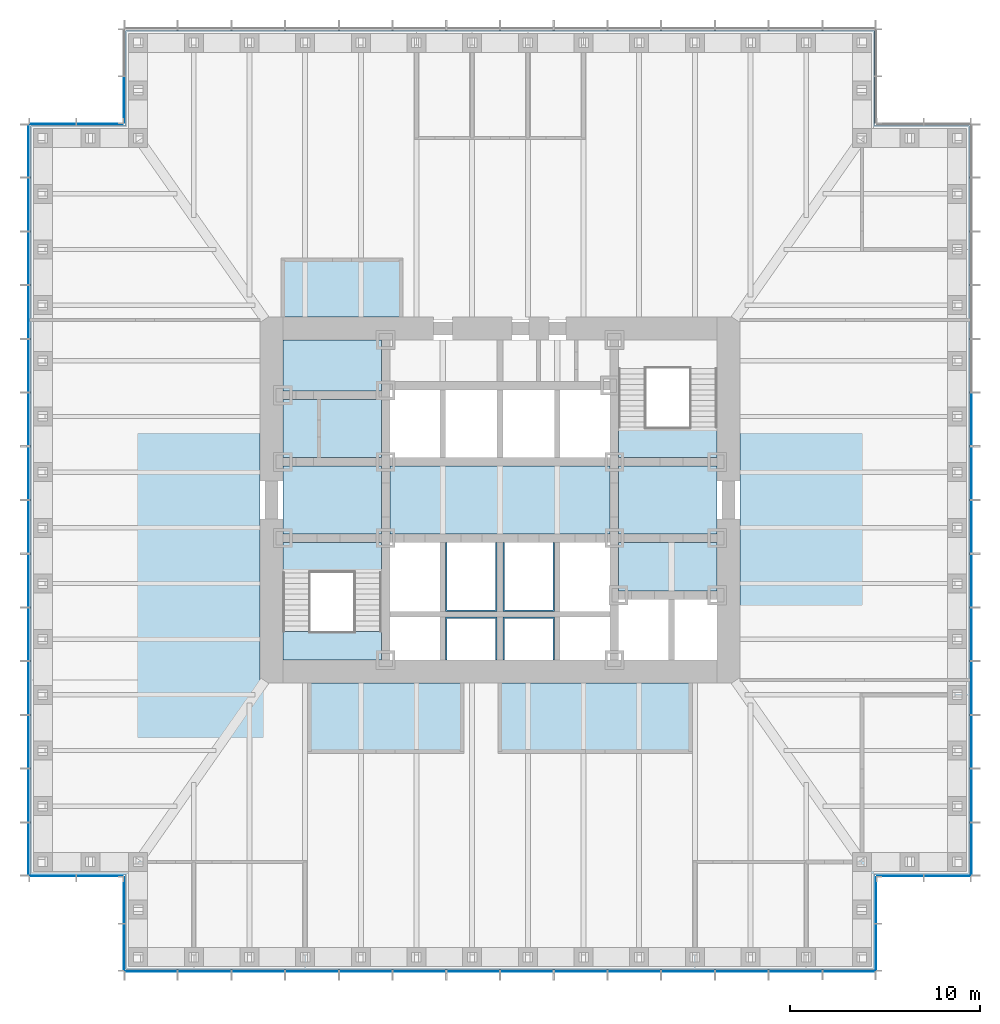
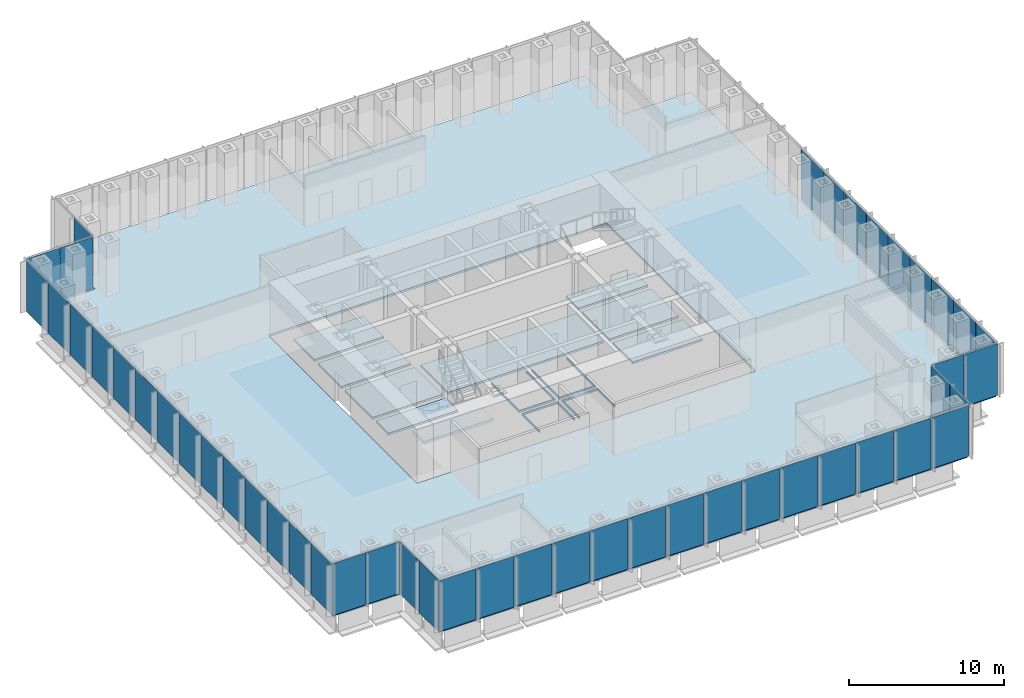
# One storey, part 7 of 16: 48 plates, 14 slabs, 10 elements without a shape of their own.
"""IFC4 building model written with IfcOpenShell, lengths in metres."""

from ifc_helpers import new_model, si_unit, direction, frame, origin, origin_2d, place, context, subcontext, project, spatial, polyline, rectangle, outline, extrude, material, layer, layer_set, type_object, element, aggregate, save


model = new_model("IFC4")

# Units and contexts
model_context = context("Model", 3, precision=1e-05, world=origin(), true_north=direction((0.0, 1.0)))
body_context = subcontext(model_context, "Body", "Model", "MODEL_VIEW")
ifc_project = project(units=[si_unit("LENGTHUNIT", "METRE"), si_unit("AREAUNIT", "SQUARE_METRE"), si_unit("VOLUMEUNIT", "CUBIC_METRE"), si_unit("PLANEANGLEUNIT", "RADIAN"), si_unit("MASSUNIT", "GRAM", prefix="KILO")], contexts=[model_context])

# Site, building, storey
site_placement = place(None, origin())
site = spatial("IfcSite", under=ifc_project, at=site_placement, CompositionType="ELEMENT")
building_placement = place(site_placement, origin())
building = spatial("IfcBuilding", under=site, at=building_placement, Name="Daluyong Arena Tower", CompositionType="ELEMENT")
storey_placement = place(building_placement, frame((0.0, 0.0, 43.300048828125)))
storey = spatial("IfcBuildingStorey", under=building, at=storey_placement, Name="L08", CompositionType="ELEMENT", Elevation=43.300048828125)

# Curtain wall, plates
ifc_material_1 = material(Name="Bronze anodised aluminium and glass", Category="aluminium")
curtain_wall_type_1 = type_object("IfcCurtainWallType", Name="Curtain wall CW1", PredefinedType="USERDEFINED", material=ifc_material_1)
curtain_wall_1_placement = place(storey_placement, origin())
curtain_wall_1 = element("IfcCurtainWall", 1, at=curtain_wall_1_placement, inside=storey, type_object=curtain_wall_type_1, Name="curtain wall L08 S", ObjectType="UNITISED CURTAIN WALL", PredefinedType="USERDEFINED")
ifc_material_2 = material(Name="Tinted double glazed unit", Category="glass")
ifc_layer_1 = layer(ifc_material_2, 0.031982421875)
ifc_layer_set_1 = layer_set([ifc_layer_1], Name="Tinted double glazed unit")
plate_type_1 = type_object("IfcPlateType", Name="CW1 panel 32", PredefinedType="CURTAIN_PANEL", material=ifc_layer_set_1)
plate_1_placement = place(storey_placement, frame((37.6806640625, 55.25, 0.0), z_axis=(0.0, 0.0, 1.0), x_axis=(1.0, 0.0, 0.0)))
plate_1 = element("IfcPlate", 2, at=plate_1_placement, type_object=plate_type_1, Name="curtain wall L08 S panel 1", PredefinedType="CURTAIN_PANEL", context=body_context, shape_type="SweptSolid", body=[
    extrude(rectangle(XDim=2.701416015625, YDim=0.031982421875, at=origin_2d()), origin(), (0.0, 0.0, 1.0), 4.0),
])
plate_2_placement = place(storey_placement, frame((40.482177734375, 55.25, 0.0), z_axis=(0.0, 0.0, 1.0), x_axis=(1.0, 0.0, 0.0)))
plate_2 = element("IfcPlate", 3, at=plate_2_placement, type_object=plate_type_1, Name="curtain wall L08 S panel 2", PredefinedType="CURTAIN_PANEL", context=body_context, shape_type="SweptSolid", body=[
    extrude(rectangle(XDim=2.741455078125, YDim=0.031982421875, at=origin_2d()), origin(), (0.0, 0.0, 1.0), 4.0),
])
plate_3_placement = place(storey_placement, frame((43.303466796875, 55.25, 0.0), z_axis=(0.0, 0.0, 1.0), x_axis=(1.0, 0.0, 0.0)))
plate_3 = element("IfcPlate", 4, at=plate_3_placement, type_object=plate_type_1, Name="curtain wall L08 S panel 3", PredefinedType="CURTAIN_PANEL", context=body_context, shape_type="SweptSolid", body=[
    extrude(rectangle(XDim=2.741455078125, YDim=0.031982421875, at=origin_2d()), origin(), (0.0, 0.0, 1.0), 4.0),
])
plate_4_placement = place(storey_placement, frame((46.125, 55.25, 0.0), z_axis=(0.0, 0.0, 1.0), x_axis=(1.0, 0.0, 0.0)))
plate_4 = element("IfcPlate", 5, at=plate_4_placement, type_object=plate_type_1, Name="curtain wall L08 S panel 4", PredefinedType="CURTAIN_PANEL", context=body_context, shape_type="SweptSolid", body=[
    extrude(rectangle(XDim=2.741455078125, YDim=0.031982421875, at=origin_2d()), origin(), (0.0, 0.0, 1.0), 4.0),
])
plate_5_placement = place(storey_placement, frame((48.946533203125, 55.25, 0.0), z_axis=(0.0, 0.0, 1.0), x_axis=(1.0, 0.0, 0.0)))
plate_5 = element("IfcPlate", 6, at=plate_5_placement, type_object=plate_type_1, Name="curtain wall L08 S panel 5", PredefinedType="CURTAIN_PANEL", context=body_context, shape_type="SweptSolid", body=[
    extrude(rectangle(XDim=2.741455078125, YDim=0.031982421875, at=origin_2d()), origin(), (0.0, 0.0, 1.0), 4.0),
])
plate_6_placement = place(storey_placement, frame((51.767822265625, 55.25, 0.0), z_axis=(0.0, 0.0, 1.0), x_axis=(1.0, 0.0, 0.0)))
plate_6 = element("IfcPlate", 7, at=plate_6_placement, type_object=plate_type_1, Name="curtain wall L08 S panel 6", PredefinedType="CURTAIN_PANEL", context=body_context, shape_type="SweptSolid", body=[
    extrude(rectangle(XDim=2.741455078125, YDim=0.031982421875, at=origin_2d()), origin(), (0.0, 0.0, 1.0), 4.0),
])
plate_7_placement = place(storey_placement, frame((54.58935546875, 55.25, 0.0), z_axis=(0.0, 0.0, 1.0), x_axis=(1.0, 0.0, 0.0)))
plate_7 = element("IfcPlate", 8, at=plate_7_placement, type_object=plate_type_1, Name="curtain wall L08 S panel 7", PredefinedType="CURTAIN_PANEL", context=body_context, shape_type="SweptSolid", body=[
    extrude(rectangle(XDim=2.741455078125, YDim=0.031982421875, at=origin_2d()), origin(), (0.0, 0.0, 1.0), 4.0),
])
plate_8_placement = place(storey_placement, frame((57.41064453125, 55.25, 0.0), z_axis=(0.0, 0.0, 1.0), x_axis=(1.0, 0.0, 0.0)))
plate_8 = element("IfcPlate", 9, at=plate_8_placement, type_object=plate_type_1, Name="curtain wall L08 S panel 8", PredefinedType="CURTAIN_PANEL", context=body_context, shape_type="SweptSolid", body=[
    extrude(rectangle(XDim=2.741455078125, YDim=0.031982421875, at=origin_2d()), origin(), (0.0, 0.0, 1.0), 4.0),
])
plate_9_placement = place(storey_placement, frame((60.232177734375, 55.25, 0.0), z_axis=(0.0, 0.0, 1.0), x_axis=(1.0, 0.0, 0.0)))
plate_9 = element("IfcPlate", 10, at=plate_9_placement, type_object=plate_type_1, Name="curtain wall L08 S panel 9", PredefinedType="CURTAIN_PANEL", context=body_context, shape_type="SweptSolid", body=[
    extrude(rectangle(XDim=2.741455078125, YDim=0.031982421875, at=origin_2d()), origin(), (0.0, 0.0, 1.0), 4.0),
])
plate_10_placement = place(storey_placement, frame((63.053466796875, 55.25, 0.0), z_axis=(0.0, 0.0, 1.0), x_axis=(1.0, 0.0, 0.0)))
plate_10 = element("IfcPlate", 11, at=plate_10_placement, type_object=plate_type_1, Name="curtain wall L08 S panel 10", PredefinedType="CURTAIN_PANEL", context=body_context, shape_type="SweptSolid", body=[
    extrude(rectangle(XDim=2.741455078125, YDim=0.031982421875, at=origin_2d()), origin(), (0.0, 0.0, 1.0), 4.0),
])
plate_11_placement = place(storey_placement, frame((65.875, 55.25, 0.0), z_axis=(0.0, 0.0, 1.0), x_axis=(1.0, 0.0, 0.0)))
plate_11 = element("IfcPlate", 12, at=plate_11_placement, type_object=plate_type_1, Name="curtain wall L08 S panel 11", PredefinedType="CURTAIN_PANEL", context=body_context, shape_type="SweptSolid", body=[
    extrude(rectangle(XDim=2.741455078125, YDim=0.031982421875, at=origin_2d()), origin(), (0.0, 0.0, 1.0), 4.0),
])
plate_12_placement = place(storey_placement, frame((68.696533203125, 55.25, 0.0), z_axis=(0.0, 0.0, 1.0), x_axis=(1.0, 0.0, 0.0)))
plate_12 = element("IfcPlate", 13, at=plate_12_placement, type_object=plate_type_1, Name="curtain wall L08 S panel 12", PredefinedType="CURTAIN_PANEL", context=body_context, shape_type="SweptSolid", body=[
    extrude(rectangle(XDim=2.741455078125, YDim=0.031982421875, at=origin_2d()), origin(), (0.0, 0.0, 1.0), 4.0),
])
plate_13_placement = place(storey_placement, frame((71.517822265625, 55.25, 0.0), z_axis=(0.0, 0.0, 1.0), x_axis=(1.0, 0.0, 0.0)))
plate_13 = element("IfcPlate", 14, at=plate_13_placement, type_object=plate_type_1, Name="curtain wall L08 S panel 13", PredefinedType="CURTAIN_PANEL", context=body_context, shape_type="SweptSolid", body=[
    extrude(rectangle(XDim=2.741455078125, YDim=0.031982421875, at=origin_2d()), origin(), (0.0, 0.0, 1.0), 4.0),
])
plate_14_placement = place(storey_placement, frame((74.3193359375, 55.25, 0.0), z_axis=(0.0, 0.0, 1.0), x_axis=(1.0, 0.0, 0.0)))
plate_14 = element("IfcPlate", 15, at=plate_14_placement, type_object=plate_type_1, Name="curtain wall L08 S panel 14", PredefinedType="CURTAIN_PANEL", context=body_context, shape_type="SweptSolid", body=[
    extrude(rectangle(XDim=2.701416015625, YDim=0.031982421875, at=origin_2d()), origin(), (0.0, 0.0, 1.0), 4.0),
])
aggregate(curtain_wall_1, [plate_1, plate_2, plate_3, plate_4, plate_5, plate_6, plate_7, plate_8, plate_9, plate_10, plate_11, plate_12, plate_13, plate_14])

curtain_wall_2_placement = place(storey_placement, origin())
curtain_wall_2 = element("IfcCurtainWall", 16, at=curtain_wall_2_placement, inside=storey, type_object=curtain_wall_type_1, Name="curtain wall L08 E", ObjectType="UNITISED CURTAIN WALL", PredefinedType="USERDEFINED")
plate_15_placement = place(storey_placement, frame((80.75, 61.6806640625, 0.0), z_axis=(0.0, 0.0, 1.0), x_axis=(0.0, 1.0, 0.0)))
plate_15 = element("IfcPlate", 17, at=plate_15_placement, type_object=plate_type_1, Name="curtain wall L08 E panel 1", PredefinedType="CURTAIN_PANEL", context=body_context, shape_type="SweptSolid", body=[
    extrude(rectangle(XDim=2.701416015625, YDim=0.031982421875, at=origin_2d()), origin(), (0.0, 0.0, 1.0), 4.0),
])
plate_16_placement = place(storey_placement, frame((80.75, 64.482177734375, 0.0), z_axis=(0.0, 0.0, 1.0), x_axis=(0.0, 1.0, 0.0)))
plate_16 = element("IfcPlate", 18, at=plate_16_placement, type_object=plate_type_1, Name="curtain wall L08 E panel 2", PredefinedType="CURTAIN_PANEL", context=body_context, shape_type="SweptSolid", body=[
    extrude(rectangle(XDim=2.741455078125, YDim=0.031982421875, at=origin_2d()), origin(), (0.0, 0.0, 1.0), 4.0),
])
plate_17_placement = place(storey_placement, frame((80.75, 67.303466796875, 0.0), z_axis=(0.0, 0.0, 1.0), x_axis=(0.0, 1.0, 0.0)))
plate_17 = element("IfcPlate", 19, at=plate_17_placement, type_object=plate_type_1, Name="curtain wall L08 E panel 3", PredefinedType="CURTAIN_PANEL", context=body_context, shape_type="SweptSolid", body=[
    extrude(rectangle(XDim=2.741455078125, YDim=0.031982421875, at=origin_2d()), origin(), (0.0, 0.0, 1.0), 4.0),
])
plate_18_placement = place(storey_placement, frame((80.75, 70.125, 0.0), z_axis=(0.0, 0.0, 1.0), x_axis=(0.0, 1.0, 0.0)))
plate_18 = element("IfcPlate", 20, at=plate_18_placement, type_object=plate_type_1, Name="curtain wall L08 E panel 4", PredefinedType="CURTAIN_PANEL", context=body_context, shape_type="SweptSolid", body=[
    extrude(rectangle(XDim=2.741455078125, YDim=0.031982421875, at=origin_2d()), origin(), (0.0, 0.0, 1.0), 4.0),
])
plate_19_placement = place(storey_placement, frame((80.75, 72.946533203125, 0.0), z_axis=(0.0, 0.0, 1.0), x_axis=(0.0, 1.0, 0.0)))
plate_19 = element("IfcPlate", 21, at=plate_19_placement, type_object=plate_type_1, Name="curtain wall L08 E panel 5", PredefinedType="CURTAIN_PANEL", context=body_context, shape_type="SweptSolid", body=[
    extrude(rectangle(XDim=2.741455078125, YDim=0.031982421875, at=origin_2d()), origin(), (0.0, 0.0, 1.0), 4.0),
])
plate_20_placement = place(storey_placement, frame((80.75, 75.767822265625, 0.0), z_axis=(0.0, 0.0, 1.0), x_axis=(0.0, 1.0, 0.0)))
plate_20 = element("IfcPlate", 22, at=plate_20_placement, type_object=plate_type_1, Name="curtain wall L08 E panel 6", PredefinedType="CURTAIN_PANEL", context=body_context, shape_type="SweptSolid", body=[
    extrude(rectangle(XDim=2.741455078125, YDim=0.031982421875, at=origin_2d()), origin(), (0.0, 0.0, 1.0), 4.0),
])
plate_21_placement = place(storey_placement, frame((80.75, 78.58935546875, 0.0), z_axis=(0.0, 0.0, 1.0), x_axis=(0.0, 1.0, 0.0)))
plate_21 = element("IfcPlate", 23, at=plate_21_placement, type_object=plate_type_1, Name="curtain wall L08 E panel 7", PredefinedType="CURTAIN_PANEL", context=body_context, shape_type="SweptSolid", body=[
    extrude(rectangle(XDim=2.741455078125, YDim=0.031982421875, at=origin_2d()), origin(), (0.0, 0.0, 1.0), 4.0),
])
plate_22_placement = place(storey_placement, frame((80.75, 81.41064453125, 0.0), z_axis=(0.0, 0.0, 1.0), x_axis=(0.0, 1.0, 0.0)))
plate_22 = element("IfcPlate", 24, at=plate_22_placement, type_object=plate_type_1, Name="curtain wall L08 E panel 8", PredefinedType="CURTAIN_PANEL", context=body_context, shape_type="SweptSolid", body=[
    extrude(rectangle(XDim=2.741455078125, YDim=0.031982421875, at=origin_2d()), origin(), (0.0, 0.0, 1.0), 4.0),
])
plate_23_placement = place(storey_placement, frame((80.75, 84.232177734375, 0.0), z_axis=(0.0, 0.0, 1.0), x_axis=(0.0, 1.0, 0.0)))
plate_23 = element("IfcPlate", 25, at=plate_23_placement, type_object=plate_type_1, Name="curtain wall L08 E panel 9", PredefinedType="CURTAIN_PANEL", context=body_context, shape_type="SweptSolid", body=[
    extrude(rectangle(XDim=2.741455078125, YDim=0.031982421875, at=origin_2d()), origin(), (0.0, 0.0, 1.0), 4.0),
])
aggregate(curtain_wall_2, [plate_15, plate_16, plate_17, plate_18, plate_19, plate_20, plate_21, plate_22, plate_23])

curtain_wall_3_placement = place(storey_placement, origin())
curtain_wall_3 = element("IfcCurtainWall", 26, at=curtain_wall_3_placement, inside=storey, type_object=curtain_wall_type_1, Name="curtain wall L08 W", ObjectType="UNITISED CURTAIN WALL", PredefinedType="USERDEFINED")
plate_24_placement = place(storey_placement, frame((31.25, 98.3193359375, 0.0), z_axis=(0.0, 0.0, 1.0), x_axis=(0.0, -1.0, 0.0)))
plate_24 = element("IfcPlate", 27, at=plate_24_placement, type_object=plate_type_1, Name="curtain wall L08 W panel 1", PredefinedType="CURTAIN_PANEL", context=body_context, shape_type="SweptSolid", body=[
    extrude(rectangle(XDim=2.701416015625, YDim=0.031982421875, at=origin_2d()), origin(), (0.0, 0.0, 1.0), 4.0),
])
plate_25_placement = place(storey_placement, frame((31.25, 95.517822265625, 0.0), z_axis=(0.0, 0.0, 1.0), x_axis=(0.0, -1.0, 0.0)))
plate_25 = element("IfcPlate", 28, at=plate_25_placement, type_object=plate_type_1, Name="curtain wall L08 W panel 2", PredefinedType="CURTAIN_PANEL", context=body_context, shape_type="SweptSolid", body=[
    extrude(rectangle(XDim=2.741455078125, YDim=0.031982421875, at=origin_2d()), origin(), (0.0, 0.0, 1.0), 4.0),
])
plate_26_placement = place(storey_placement, frame((31.25, 92.696533203125, 0.0), z_axis=(0.0, 0.0, 1.0), x_axis=(0.0, -1.0, 0.0)))
plate_26 = element("IfcPlate", 29, at=plate_26_placement, type_object=plate_type_1, Name="curtain wall L08 W panel 3", PredefinedType="CURTAIN_PANEL", context=body_context, shape_type="SweptSolid", body=[
    extrude(rectangle(XDim=2.741455078125, YDim=0.031982421875, at=origin_2d()), origin(), (0.0, 0.0, 1.0), 4.0),
])
plate_27_placement = place(storey_placement, frame((31.25, 89.875, 0.0), z_axis=(0.0, 0.0, 1.0), x_axis=(0.0, -1.0, 0.0)))
plate_27 = element("IfcPlate", 30, at=plate_27_placement, type_object=plate_type_1, Name="curtain wall L08 W panel 4", PredefinedType="CURTAIN_PANEL", context=body_context, shape_type="SweptSolid", body=[
    extrude(rectangle(XDim=2.741455078125, YDim=0.031982421875, at=origin_2d()), origin(), (0.0, 0.0, 1.0), 4.0),
])
plate_28_placement = place(storey_placement, frame((31.25, 87.053466796875, 0.0), z_axis=(0.0, 0.0, 1.0), x_axis=(0.0, -1.0, 0.0)))
plate_28 = element("IfcPlate", 31, at=plate_28_placement, type_object=plate_type_1, Name="curtain wall L08 W panel 5", PredefinedType="CURTAIN_PANEL", context=body_context, shape_type="SweptSolid", body=[
    extrude(rectangle(XDim=2.741455078125, YDim=0.031982421875, at=origin_2d()), origin(), (0.0, 0.0, 1.0), 4.0),
])
plate_29_placement = place(storey_placement, frame((31.25, 84.232177734375, 0.0), z_axis=(0.0, 0.0, 1.0), x_axis=(0.0, -1.0, 0.0)))
plate_29 = element("IfcPlate", 32, at=plate_29_placement, type_object=plate_type_1, Name="curtain wall L08 W panel 6", PredefinedType="CURTAIN_PANEL", context=body_context, shape_type="SweptSolid", body=[
    extrude(rectangle(XDim=2.741455078125, YDim=0.031982421875, at=origin_2d()), origin(), (0.0, 0.0, 1.0), 4.0),
])
plate_30_placement = place(storey_placement, frame((31.25, 81.41064453125, 0.0), z_axis=(0.0, 0.0, 1.0), x_axis=(0.0, -1.0, 0.0)))
plate_30 = element("IfcPlate", 33, at=plate_30_placement, type_object=plate_type_1, Name="curtain wall L08 W panel 7", PredefinedType="CURTAIN_PANEL", context=body_context, shape_type="SweptSolid", body=[
    extrude(rectangle(XDim=2.741455078125, YDim=0.031982421875, at=origin_2d()), origin(), (0.0, 0.0, 1.0), 4.0),
])
plate_31_placement = place(storey_placement, frame((31.25, 78.58935546875, 0.0), z_axis=(0.0, 0.0, 1.0), x_axis=(0.0, -1.0, 0.0)))
plate_31 = element("IfcPlate", 34, at=plate_31_placement, type_object=plate_type_1, Name="curtain wall L08 W panel 8", PredefinedType="CURTAIN_PANEL", context=body_context, shape_type="SweptSolid", body=[
    extrude(rectangle(XDim=2.741455078125, YDim=0.031982421875, at=origin_2d()), origin(), (0.0, 0.0, 1.0), 4.0),
])
plate_32_placement = place(storey_placement, frame((31.25, 75.767822265625, 0.0), z_axis=(0.0, 0.0, 1.0), x_axis=(0.0, -1.0, 0.0)))
plate_32 = element("IfcPlate", 35, at=plate_32_placement, type_object=plate_type_1, Name="curtain wall L08 W panel 9", PredefinedType="CURTAIN_PANEL", context=body_context, shape_type="SweptSolid", body=[
    extrude(rectangle(XDim=2.741455078125, YDim=0.031982421875, at=origin_2d()), origin(), (0.0, 0.0, 1.0), 4.0),
])
plate_33_placement = place(storey_placement, frame((31.25, 72.946533203125, 0.0), z_axis=(0.0, 0.0, 1.0), x_axis=(0.0, -1.0, 0.0)))
plate_33 = element("IfcPlate", 36, at=plate_33_placement, type_object=plate_type_1, Name="curtain wall L08 W panel 10", PredefinedType="CURTAIN_PANEL", context=body_context, shape_type="SweptSolid", body=[
    extrude(rectangle(XDim=2.741455078125, YDim=0.031982421875, at=origin_2d()), origin(), (0.0, 0.0, 1.0), 4.0),
])
plate_34_placement = place(storey_placement, frame((31.25, 70.125, 0.0), z_axis=(0.0, 0.0, 1.0), x_axis=(0.0, -1.0, 0.0)))
plate_34 = element("IfcPlate", 37, at=plate_34_placement, type_object=plate_type_1, Name="curtain wall L08 W panel 11", PredefinedType="CURTAIN_PANEL", context=body_context, shape_type="SweptSolid", body=[
    extrude(rectangle(XDim=2.741455078125, YDim=0.031982421875, at=origin_2d()), origin(), (0.0, 0.0, 1.0), 4.0),
])
plate_35_placement = place(storey_placement, frame((31.25, 67.303466796875, 0.0), z_axis=(0.0, 0.0, 1.0), x_axis=(0.0, -1.0, 0.0)))
plate_35 = element("IfcPlate", 38, at=plate_35_placement, type_object=plate_type_1, Name="curtain wall L08 W panel 12", PredefinedType="CURTAIN_PANEL", context=body_context, shape_type="SweptSolid", body=[
    extrude(rectangle(XDim=2.741455078125, YDim=0.031982421875, at=origin_2d()), origin(), (0.0, 0.0, 1.0), 4.0),
])
plate_36_placement = place(storey_placement, frame((31.25, 64.482177734375, 0.0), z_axis=(0.0, 0.0, 1.0), x_axis=(0.0, -1.0, 0.0)))
plate_36 = element("IfcPlate", 39, at=plate_36_placement, type_object=plate_type_1, Name="curtain wall L08 W panel 13", PredefinedType="CURTAIN_PANEL", context=body_context, shape_type="SweptSolid", body=[
    extrude(rectangle(XDim=2.741455078125, YDim=0.031982421875, at=origin_2d()), origin(), (0.0, 0.0, 1.0), 4.0),
])
plate_37_placement = place(storey_placement, frame((31.25, 61.6806640625, 0.0), z_axis=(0.0, 0.0, 1.0), x_axis=(0.0, -1.0, 0.0)))
plate_37 = element("IfcPlate", 40, at=plate_37_placement, type_object=plate_type_1, Name="curtain wall L08 W panel 14", PredefinedType="CURTAIN_PANEL", context=body_context, shape_type="SweptSolid", body=[
    extrude(rectangle(XDim=2.701416015625, YDim=0.031982421875, at=origin_2d()), origin(), (0.0, 0.0, 1.0), 4.0),
])
aggregate(curtain_wall_3, [plate_24, plate_25, plate_26, plate_27, plate_28, plate_29, plate_30, plate_31, plate_32, plate_33, plate_34, plate_35, plate_36, plate_37])

ifc_material_3 = material(Name="Bronze anodised aluminium and glass", Category="aluminium")
curtain_wall_type_2 = type_object("IfcCurtainWallType", Name="Curtain wall CW7", PredefinedType="USERDEFINED", material=ifc_material_3)
curtain_wall_4_placement = place(storey_placement, origin())
curtain_wall_4 = element("IfcCurtainWall", 41, at=curtain_wall_4_placement, inside=storey, type_object=curtain_wall_type_2, Name="curtain wall L08 SE-E", ObjectType="UNITISED CURTAIN WALL", PredefinedType="USERDEFINED")
ifc_material_4 = material(Name="Tinted double glazed unit", Category="glass")
ifc_layer_2 = layer(ifc_material_4, 0.028076171875)
ifc_layer_set_2 = layer_set([ifc_layer_2], Name="Tinted double glazed unit")
plate_type_2 = type_object("IfcPlateType", Name="CW7 panel 28", PredefinedType="CURTAIN_PANEL", material=ifc_layer_set_2)
plate_38_placement = place(storey_placement, frame((75.75, 56.514892578125, 0.0), z_axis=(0.0, 0.0, 1.0), x_axis=(0.0, 1.0, 0.0)))
plate_38 = element("IfcPlate", 42, at=plate_38_placement, type_object=plate_type_2, Name="curtain wall L08 SE-E panel 1", PredefinedType="CURTAIN_PANEL", context=body_context, shape_type="SweptSolid", body=[
    extrude(rectangle(XDim=2.409912109375, YDim=0.028076171875, at=origin_2d()), origin(), (0.0, 0.0, 1.0), 4.080078125),
])
plate_39_placement = place(storey_placement, frame((75.75, 58.985107421875, 0.0), z_axis=(0.0, 0.0, 1.0), x_axis=(0.0, 1.0, 0.0)))
plate_39 = element("IfcPlate", 43, at=plate_39_placement, type_object=plate_type_2, Name="curtain wall L08 SE-E panel 2", PredefinedType="CURTAIN_PANEL", context=body_context, shape_type="SweptSolid", body=[
    extrude(rectangle(XDim=2.409912109375, YDim=0.028076171875, at=origin_2d()), origin(), (0.0, 0.0, 1.0), 4.080078125),
])
aggregate(curtain_wall_4, [plate_38, plate_39])

curtain_wall_5_placement = place(storey_placement, origin())
curtain_wall_5 = element("IfcCurtainWall", 44, at=curtain_wall_5_placement, inside=storey, type_object=curtain_wall_type_2, Name="curtain wall L08 SE-S", ObjectType="UNITISED CURTAIN WALL", PredefinedType="USERDEFINED")
plate_40_placement = place(storey_placement, frame((77.014892578125, 60.25, 0.0), z_axis=(0.0, 0.0, 1.0), x_axis=(1.0, 0.0, 0.0)))
plate_40 = element("IfcPlate", 45, at=plate_40_placement, type_object=plate_type_2, Name="curtain wall L08 SE-S panel 1", PredefinedType="CURTAIN_PANEL", context=body_context, shape_type="SweptSolid", body=[
    extrude(rectangle(XDim=2.409912109375, YDim=0.028076171875, at=origin_2d()), origin(), (0.0, 0.0, 1.0), 4.080078125),
])
plate_41_placement = place(storey_placement, frame((79.485107421875, 60.25, 0.0), z_axis=(0.0, 0.0, 1.0), x_axis=(1.0, 0.0, 0.0)))
plate_41 = element("IfcPlate", 46, at=plate_41_placement, type_object=plate_type_2, Name="curtain wall L08 SE-S panel 2", PredefinedType="CURTAIN_PANEL", context=body_context, shape_type="SweptSolid", body=[
    extrude(rectangle(XDim=2.409912109375, YDim=0.028076171875, at=origin_2d()), origin(), (0.0, 0.0, 1.0), 4.080078125),
])
aggregate(curtain_wall_5, [plate_40, plate_41])

# Curtain wall, plate
curtain_wall_6_placement = place(storey_placement, origin())
curtain_wall_6 = element("IfcCurtainWall", 47, at=curtain_wall_6_placement, inside=storey, type_object=curtain_wall_type_2, Name="curtain wall L08 NW-W", ObjectType="UNITISED CURTAIN WALL", PredefinedType="USERDEFINED")
plate_42_placement = place(storey_placement, frame((36.25, 101.014892578125, 0.0), z_axis=(0.0, 0.0, 1.0), x_axis=(0.0, -1.0, 0.0)))
plate_42 = element("IfcPlate", 48, at=plate_42_placement, type_object=plate_type_2, Name="curtain wall L08 NW-W panel 2", PredefinedType="CURTAIN_PANEL", context=body_context, shape_type="SweptSolid", body=[
    extrude(rectangle(XDim=2.409912109375, YDim=0.028076171875, at=origin_2d()), origin(), (0.0, 0.0, 1.0), 4.080078125),
])
aggregate(curtain_wall_6, [plate_42])

# Curtain wall, plates
curtain_wall_7_placement = place(storey_placement, origin())
curtain_wall_7 = element("IfcCurtainWall", 49, at=curtain_wall_7_placement, inside=storey, type_object=curtain_wall_type_2, Name="curtain wall L08 NW-N", ObjectType="UNITISED CURTAIN WALL", PredefinedType="USERDEFINED")
plate_43_placement = place(storey_placement, frame((34.985107421875, 99.75, 0.0), z_axis=(0.0, 0.0, 1.0), x_axis=(-1.0, 0.0, 0.0)))
plate_43 = element("IfcPlate", 50, at=plate_43_placement, type_object=plate_type_2, Name="curtain wall L08 NW-N panel 1", PredefinedType="CURTAIN_PANEL", context=body_context, shape_type="SweptSolid", body=[
    extrude(rectangle(XDim=2.409912109375, YDim=0.028076171875, at=origin_2d()), origin(), (0.0, 0.0, 1.0), 4.080078125),
])
plate_44_placement = place(storey_placement, frame((32.514892578125, 99.75, 0.0), z_axis=(0.0, 0.0, 1.0), x_axis=(-1.0, 0.0, 0.0)))
plate_44 = element("IfcPlate", 51, at=plate_44_placement, type_object=plate_type_2, Name="curtain wall L08 NW-N panel 2", PredefinedType="CURTAIN_PANEL", context=body_context, shape_type="SweptSolid", body=[
    extrude(rectangle(XDim=2.409912109375, YDim=0.028076171875, at=origin_2d()), origin(), (0.0, 0.0, 1.0), 4.080078125),
])
aggregate(curtain_wall_7, [plate_43, plate_44])

curtain_wall_8_placement = place(storey_placement, origin())
curtain_wall_8 = element("IfcCurtainWall", 52, at=curtain_wall_8_placement, inside=storey, type_object=curtain_wall_type_2, Name="curtain wall L08 SW-S", ObjectType="UNITISED CURTAIN WALL", PredefinedType="USERDEFINED")
plate_45_placement = place(storey_placement, frame((32.514892578125, 60.25, 0.0), z_axis=(0.0, 0.0, 1.0), x_axis=(1.0, 0.0, 0.0)))
plate_45 = element("IfcPlate", 53, at=plate_45_placement, type_object=plate_type_2, Name="curtain wall L08 SW-S panel 1", PredefinedType="CURTAIN_PANEL", context=body_context, shape_type="SweptSolid", body=[
    extrude(rectangle(XDim=2.409912109375, YDim=0.028076171875, at=origin_2d()), origin(), (0.0, 0.0, 1.0), 4.080078125),
])
plate_46_placement = place(storey_placement, frame((34.985107421875, 60.25, 0.0), z_axis=(0.0, 0.0, 1.0), x_axis=(1.0, 0.0, 0.0)))
plate_46 = element("IfcPlate", 54, at=plate_46_placement, type_object=plate_type_2, Name="curtain wall L08 SW-S panel 2", PredefinedType="CURTAIN_PANEL", context=body_context, shape_type="SweptSolid", body=[
    extrude(rectangle(XDim=2.409912109375, YDim=0.028076171875, at=origin_2d()), origin(), (0.0, 0.0, 1.0), 4.080078125),
])
aggregate(curtain_wall_8, [plate_45, plate_46])

curtain_wall_9_placement = place(storey_placement, origin())
curtain_wall_9 = element("IfcCurtainWall", 55, at=curtain_wall_9_placement, inside=storey, type_object=curtain_wall_type_2, Name="curtain wall L08 SW-W", ObjectType="UNITISED CURTAIN WALL", PredefinedType="USERDEFINED")
plate_47_placement = place(storey_placement, frame((36.25, 58.985107421875, 0.0), z_axis=(0.0, 0.0, 1.0), x_axis=(0.0, -1.0, 0.0)))
plate_47 = element("IfcPlate", 56, at=plate_47_placement, type_object=plate_type_2, Name="curtain wall L08 SW-W panel 1", PredefinedType="CURTAIN_PANEL", context=body_context, shape_type="SweptSolid", body=[
    extrude(rectangle(XDim=2.409912109375, YDim=0.028076171875, at=origin_2d()), origin(), (0.0, 0.0, 1.0), 4.080078125),
])
plate_48_placement = place(storey_placement, frame((36.25, 56.514892578125, 0.0), z_axis=(0.0, 0.0, 1.0), x_axis=(0.0, -1.0, 0.0)))
plate_48 = element("IfcPlate", 57, at=plate_48_placement, type_object=plate_type_2, Name="curtain wall L08 SW-W panel 2", PredefinedType="CURTAIN_PANEL", context=body_context, shape_type="SweptSolid", body=[
    extrude(rectangle(XDim=2.409912109375, YDim=0.028076171875, at=origin_2d()), origin(), (0.0, 0.0, 1.0), 4.080078125),
])
aggregate(curtain_wall_9, [plate_47, plate_48])

# Stair, slab
ifc_material_5 = material(Name="Concrete fc' 35 MPa", Category="concrete")
stair_type = type_object("IfcStairType", Name="Core exit stair", PredefinedType="HALF_TURN_STAIR", material=ifc_material_5)
stair_placement = place(storey_placement, origin())
stair = element("IfcStair", 58, at=stair_placement, inside=storey, type_object=stair_type, Name="exit stair A L08", PredefinedType="HALF_TURN_STAIR")
ifc_material_6 = material(Name="Concrete fc' 35 MPa", Category="concrete")
ifc_layer_3 = layer(ifc_material_6, 0.199951171875)
ifc_layer_set_3 = layer_set([ifc_layer_3], Name="Concrete fc' 35 MPa")
slab_type_1 = type_object("IfcSlabType", Name="Stair landing 200", PredefinedType="LANDING", material=ifc_layer_set_3)
slab_1_placement = place(storey_placement, frame((0.0, 0.0, 1.89990234375)))
slab_1 = element("IfcSlab", 59, at=slab_1_placement, type_object=slab_type_1, Name="STA landing 1", PredefinedType="LANDING", context=body_context, shape_type="SweptSolid", body=[
    extrude(outline(polyline([(44.60009765625, 71.60009765625), (49.77490234375, 71.60009765625), (49.77490234375, 73.094970703125), (44.60009765625, 73.094970703125), (44.60009765625, 71.60009765625)])), origin(), (0.0, 0.0, 1.0), 0.199951171875),
])
aggregate(stair, [slab_1])

# Slabs
ifc_material_7 = material(Name="Concrete fc' 35 MPa", Category="concrete")
ifc_layer_4 = layer(ifc_material_7, 0.159912109375)
ifc_layer_set_4 = layer_set([ifc_layer_4], Name="Concrete fc' 35 MPa")
slab_type_2 = type_object("IfcSlabType", Name="Tower floor slab 160", PredefinedType="FLOOR", material=ifc_layer_set_4)
slab_2_placement = place(storey_placement, frame((0.0, 0.0, -0.16015625)))
element("IfcSlab", 60, at=slab_2_placement, inside=storey, type_object=slab_type_2, Name="floor L08 part 1", PredefinedType="FLOOR", context=body_context, shape_type="SweptSolid", body=[
    extrude(outline(polyline([(49.77490234375, 76.175048828125), (49.77490234375, 77.77490234375), (44.60009765625, 77.77490234375), (44.60009765625, 76.175048828125), (49.77490234375, 76.175048828125)])), origin(), (0.0, 0.0, 1.0), 0.16015625),
])
slab_3_placement = place(storey_placement, frame((0.0, 0.0, -0.16015625)))
element("IfcSlab", 61, at=slab_3_placement, inside=storey, type_object=slab_type_2, Name="floor L08 part 2", PredefinedType="FLOOR", context=body_context, shape_type="SweptSolid", body=[
    extrude(outline(polyline([(49.77490234375, 78.22509765625), (49.77490234375, 81.77490234375), (44.60009765625, 81.77490234375), (44.60009765625, 78.22509765625), (49.77490234375, 78.22509765625)])), origin(), (0.0, 0.0, 1.0), 0.16015625),
])
slab_4_placement = place(storey_placement, frame((0.0, 0.0, -0.16015625)))
element("IfcSlab", 62, at=slab_4_placement, inside=storey, type_object=slab_type_2, Name="floor L08 part 3", PredefinedType="FLOOR", context=body_context, shape_type="SweptSolid", body=[
    extrude(outline(polyline([(49.77490234375, 82.22509765625), (49.77490234375, 85.27490234375), (44.60009765625, 85.27490234375), (44.60009765625, 82.22509765625), (49.77490234375, 82.22509765625)])), origin(), (0.0, 0.0, 1.0), 0.16015625),
])
slab_5_placement = place(storey_placement, frame((0.0, 0.0, -0.16015625)))
element("IfcSlab", 63, at=slab_5_placement, inside=storey, type_object=slab_type_2, Name="floor L08 part 4", PredefinedType="FLOOR", context=body_context, shape_type="SweptSolid", body=[
    extrude(outline(polyline([(44.60009765625, 88.39990234375), (44.60009765625, 85.72509765625), (49.77490234375, 85.72509765625), (49.77490234375, 88.39990234375), (44.60009765625, 88.39990234375)])), origin(), (0.0, 0.0, 1.0), 0.16015625),
])
slab_6_placement = place(storey_placement, frame((0.0, 0.0, -0.16015625)))
element("IfcSlab", 64, at=slab_6_placement, inside=storey, type_object=slab_type_2, Name="floor L08 part 6", PredefinedType="FLOOR", context=body_context, shape_type="SweptSolid", body=[
    extrude(outline(polyline([(55.77490234375, 73.77490234375), (55.77490234375, 71.60009765625), (55.85009765625, 71.60009765625), (55.85009765625, 73.85009765625), (53.14990234375, 73.85009765625), (53.14990234375, 71.60009765625), (53.22509765625, 71.60009765625), (53.22509765625, 73.77490234375), (55.77490234375, 73.77490234375)])), origin(), (0.0, 0.0, 1.0), 0.16015625),
])
slab_7_placement = place(storey_placement, frame((0.0, 0.0, -0.16015625)))
element("IfcSlab", 65, at=slab_7_placement, inside=storey, type_object=slab_type_2, Name="floor L08 part 7", PredefinedType="FLOOR", context=body_context, shape_type="SweptSolid", body=[
    extrude(outline(polyline([(53.14990234375, 77.77490234375), (53.14990234375, 74.14990234375), (55.85009765625, 74.14990234375), (55.85009765625, 77.77490234375), (55.77490234375, 77.77490234375), (55.77490234375, 74.22509765625), (53.22509765625, 74.22509765625), (53.22509765625, 77.77490234375), (53.14990234375, 77.77490234375)])), origin(), (0.0, 0.0, 1.0), 0.16015625),
])
slab_8_placement = place(storey_placement, frame((0.0, 0.0, -0.16015625)))
element("IfcSlab", 66, at=slab_8_placement, inside=storey, type_object=slab_type_2, Name="floor L08 part 8", PredefinedType="FLOOR", context=body_context, shape_type="SweptSolid", body=[
    extrude(outline(polyline([(36.35009765625, 60.35009765625), (36.35009765625, 55.35009765625), (75.64990234375, 55.35009765625), (75.64990234375, 60.35009765625), (80.64990234375, 60.35009765625), (80.64990234375, 99.64990234375), (75.64990234375, 99.64990234375), (75.64990234375, 104.64990234375), (36.35009765625, 104.64990234375), (36.35009765625, 99.64990234375), (31.35009765625, 99.64990234375), (31.35009765625, 60.35009765625), (36.35009765625, 60.35009765625)]), holes=[polyline([(68.60009765625, 89.60009765625), (68.60009765625, 70.39990234375), (43.39990234375, 70.39990234375), (43.39990234375, 89.60009765625), (68.60009765625, 89.60009765625)])]), origin(), (0.0, 0.0, 1.0), 0.16015625),
])
slab_9_placement = place(storey_placement, frame((0.0, 0.0, -0.16015625)))
element("IfcSlab", 67, at=slab_9_placement, inside=storey, type_object=slab_type_2, Name="floor L08 part 9", PredefinedType="FLOOR", context=body_context, shape_type="SweptSolid", body=[
    extrude(outline(polyline([(61.77490234375, 81.77490234375), (50.22509765625, 81.77490234375), (50.22509765625, 78.22509765625), (61.77490234375, 78.22509765625), (61.77490234375, 81.77490234375)])), origin(), (0.0, 0.0, 1.0), 0.16015625),
])
slab_10_placement = place(storey_placement, frame((0.0, 0.0, -0.16015625)))
element("IfcSlab", 68, at=slab_10_placement, inside=storey, type_object=slab_type_2, Name="floor L08 part 10", PredefinedType="FLOOR", context=body_context, shape_type="SweptSolid", body=[
    extrude(outline(polyline([(58.77490234375, 73.77490234375), (58.77490234375, 71.60009765625), (58.85009765625, 71.60009765625), (58.85009765625, 73.85009765625), (56.14990234375, 73.85009765625), (56.14990234375, 71.60009765625), (56.22509765625, 71.60009765625), (56.22509765625, 73.77490234375), (58.77490234375, 73.77490234375)])), origin(), (0.0, 0.0, 1.0), 0.16015625),
])
slab_11_placement = place(storey_placement, frame((0.0, 0.0, -0.16015625)))
element("IfcSlab", 69, at=slab_11_placement, inside=storey, type_object=slab_type_2, Name="floor L08 part 11", PredefinedType="FLOOR", context=body_context, shape_type="SweptSolid", body=[
    extrude(outline(polyline([(56.14990234375, 77.77490234375), (56.14990234375, 74.14990234375), (58.85009765625, 74.14990234375), (58.85009765625, 77.77490234375), (58.77490234375, 77.77490234375), (58.77490234375, 74.22509765625), (56.22509765625, 74.22509765625), (56.22509765625, 77.77490234375), (56.14990234375, 77.77490234375)])), origin(), (0.0, 0.0, 1.0), 0.16015625),
])
slab_12_placement = place(storey_placement, frame((0.0, 0.0, -0.16015625)))
element("IfcSlab", 70, at=slab_12_placement, inside=storey, type_object=slab_type_2, Name="floor L08 part 13", PredefinedType="FLOOR", context=body_context, shape_type="SweptSolid", body=[
    extrude(outline(polyline([(67.39990234375, 75.22509765625), (67.39990234375, 77.77490234375), (62.22509765625, 77.77490234375), (62.22509765625, 75.22509765625), (67.39990234375, 75.22509765625)])), origin(), (0.0, 0.0, 1.0), 0.16015625),
])
slab_13_placement = place(storey_placement, frame((0.0, 0.0, -0.16015625)))
element("IfcSlab", 71, at=slab_13_placement, inside=storey, type_object=slab_type_2, Name="floor L08 part 14", PredefinedType="FLOOR", context=body_context, shape_type="SweptSolid", body=[
    extrude(outline(polyline([(67.39990234375, 78.22509765625), (67.39990234375, 81.77490234375), (62.22509765625, 81.77490234375), (62.22509765625, 78.22509765625), (67.39990234375, 78.22509765625)])), origin(), (0.0, 0.0, 1.0), 0.16015625),
])
slab_14_placement = place(storey_placement, frame((0.0, 0.0, -0.16015625)))
element("IfcSlab", 72, at=slab_14_placement, inside=storey, type_object=slab_type_2, Name="floor L08 part 15", PredefinedType="FLOOR", context=body_context, shape_type="SweptSolid", body=[
    extrude(outline(polyline([(67.39990234375, 82.22509765625), (67.39990234375, 83.824951171875), (62.22509765625, 83.824951171875), (62.22509765625, 82.22509765625), (67.39990234375, 82.22509765625)])), origin(), (0.0, 0.0, 1.0), 0.16015625),
])

save(model, "model.ifc")
